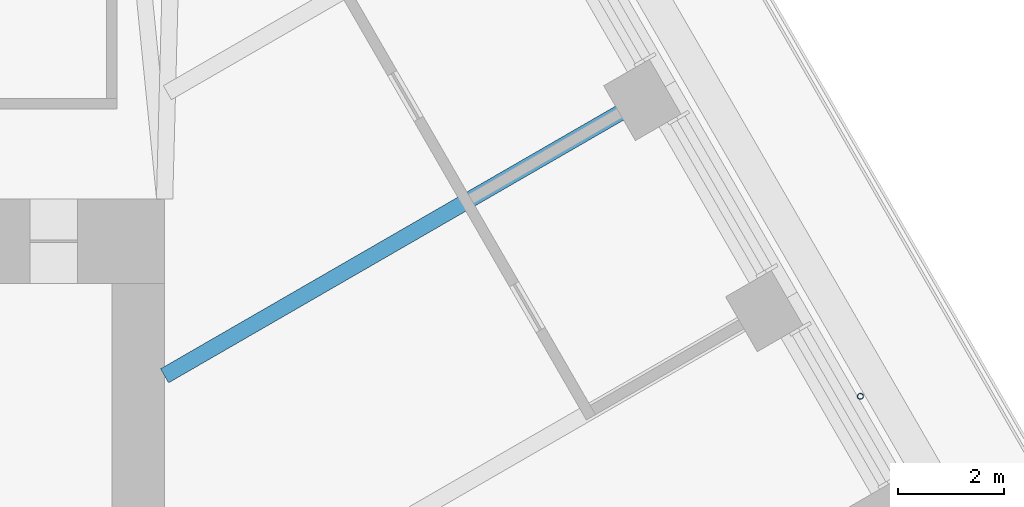
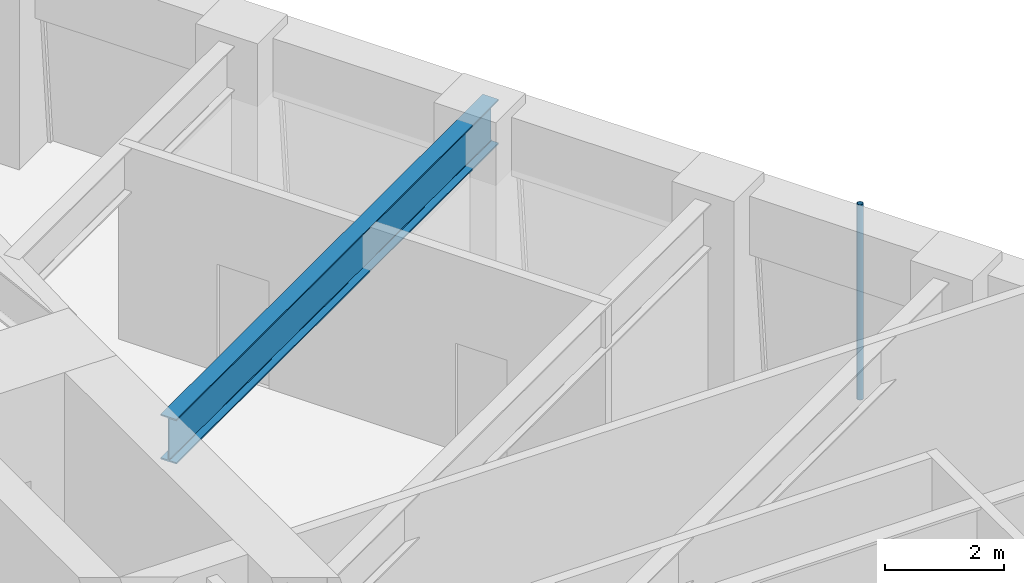
# One storey, part 10 of 20: 1 beam, 1 member.
"""IFC4 building model written with IfcOpenShell, lengths in metres."""

from ifc_helpers import new_model, si_unit, direction, frame, origin, origin_2d, place, context, subcontext, project, spatial, hollow_circle, i_section, extrude, material, material_profile, profile_set, type_object, element, save


model = new_model("IFC4")

# Units and contexts
model_context = context("Model", 3, precision=1e-05, world=origin(), true_north=direction((0.0, 1.0)))
body_context = subcontext(model_context, "Body", "Model", "MODEL_VIEW")
ifc_project = project(units=[si_unit("LENGTHUNIT", "METRE"), si_unit("AREAUNIT", "SQUARE_METRE"), si_unit("VOLUMEUNIT", "CUBIC_METRE"), si_unit("PLANEANGLEUNIT", "RADIAN"), si_unit("MASSUNIT", "GRAM", prefix="KILO")], contexts=[model_context])

# Site, building, storey
site_placement = place(None, origin())
site = spatial("IfcSite", under=ifc_project, at=site_placement, CompositionType="ELEMENT")
building_placement = place(site_placement, origin())
building = spatial("IfcBuilding", under=site, at=building_placement, Name="Tarfa Lantern Tower", CompositionType="ELEMENT")
storey_placement = place(building_placement, frame((0.0, 0.0, 270.10009765625)))
storey = spatial("IfcBuildingStorey", under=building, at=storey_placement, Name="L61", CompositionType="ELEMENT", Elevation=270.10009765625)

# Member
ifc_material_1 = material(Name="Steel S355", Category="steel")
ifc_material_profile_1 = material_profile(ifc_material_1, hollow_circle(Radius=0.05712890625, WallThickness=0.00634765625, at=origin_2d()), Name="CHS114.3x6.3")
ifc_profile_set_1 = profile_set([ifc_material_profile_1], Name="Steel S355")
member_type = type_object("IfcMemberType", Name="TR1 GREEN WALL TRELLIS CHS114.3x6.3", PredefinedType="USERDEFINED", material=ifc_profile_set_1)
member_placement = place(storey_placement, frame((28.682861328125, 8.56005859375, 0.0), z_axis=(0.0, 0.0, 1.0), x_axis=(1.0, 0.0, 0.0)))
element("IfcMember", 1, at=member_placement, inside=storey, type_object=member_type, Name="Trellis post NE 1", ObjectType="TRELLIS", PredefinedType="USERDEFINED", context=body_context, shape_type="SweptSolid", body=[
    extrude(hollow_circle(Radius=0.05712890625, WallThickness=0.00634765625, at=origin_2d()), origin(), (0.0, 0.0, 1.0), 4.0),
])

# Beam
ifc_material_2 = material(Name="Steel S460M", Category="steel")
ifc_material_profile_2 = material_profile(ifc_material_2, i_section(OverallWidth=0.305419921875, OverallDepth=0.91845703125, WebThickness=0.017333984375, FlangeThickness=0.02783203125, FilletRadius=0.01904296875, at=origin_2d()), Name="UB914x305x253")
ifc_profile_set_2 = profile_set([ifc_material_profile_2], Name="Steel S460M")
beam_type = type_object("IfcBeamType", Name="UB914x305x253", PredefinedType="BEAM", material=ifc_profile_set_2)
beam_placement = place(storey_placement, frame((24.872314453125, 14.360107421875, 3.540771484375), z_axis=(-0.8660244219, -0.500001700669, 0.0), x_axis=(0.500001700669, -0.8660244219, 0.0)))
element("IfcBeam", 2, at=beam_placement, inside=storey, type_object=beam_type, Name="Floor beam NE3", PredefinedType="BEAM", context=body_context, shape_type="SweptSolid", body=[
    extrude(i_section(OverallWidth=0.305419921875, OverallDepth=0.91845703125, WebThickness=0.017333984375, FlangeThickness=0.02783203125, FilletRadius=0.01904296875, at=origin_2d()), origin(), (0.0, 0.0, 1.0), 10.822265625),
])

save(model, "model.ifc")
